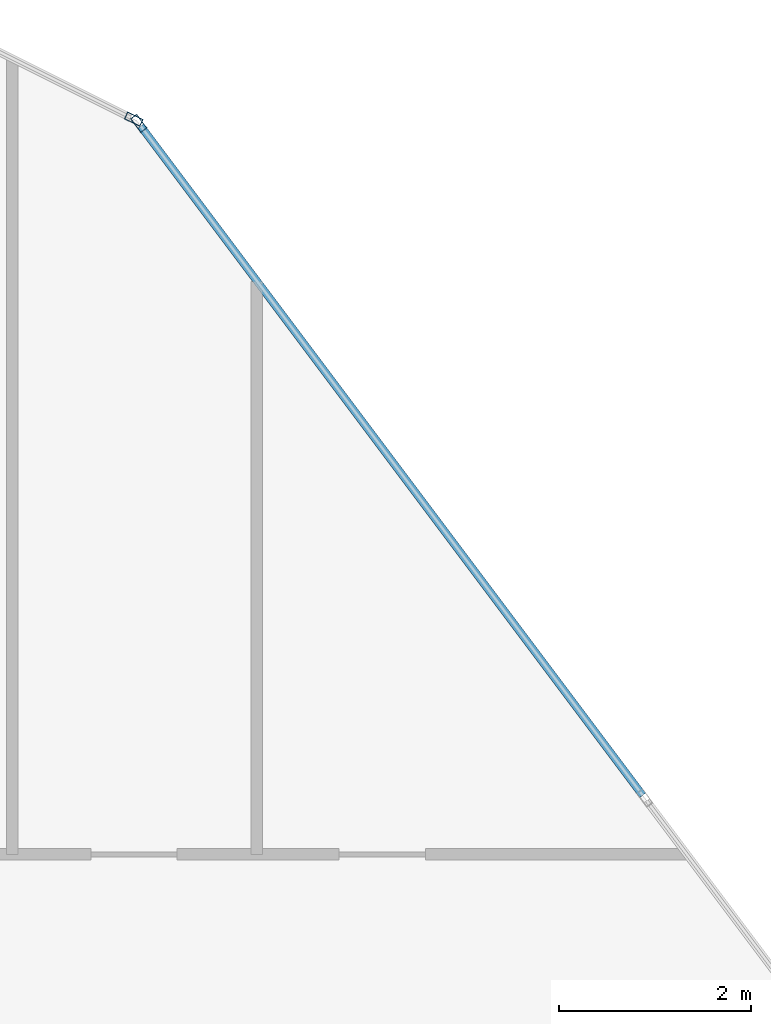
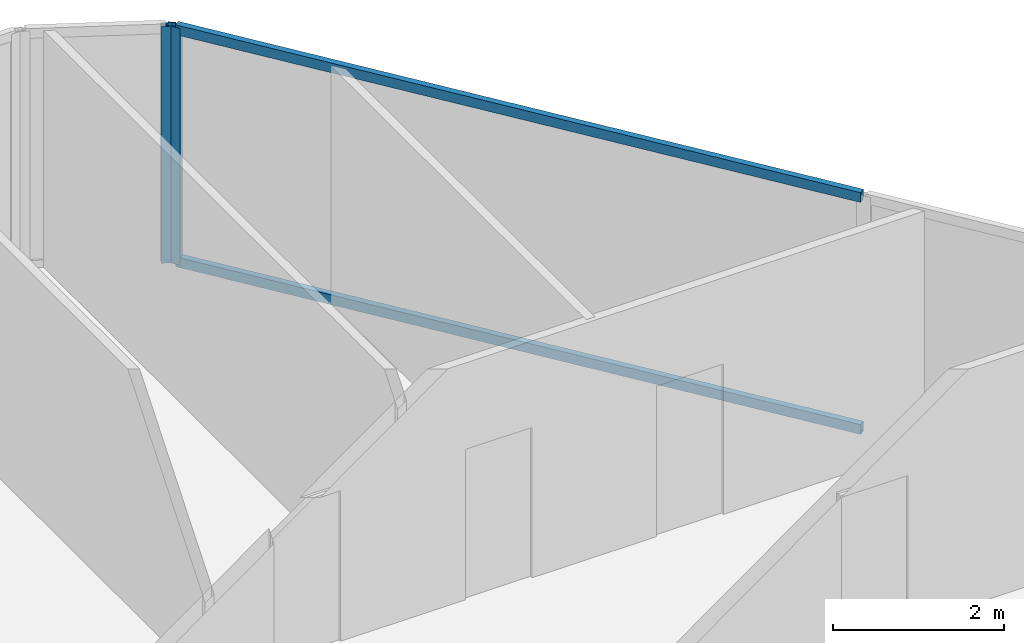
# One storey, part 22 of 32: 4 members, 2 elements without a shape of their own.
"""IFC4 building model written with IfcOpenShell, lengths in metres."""

from ifc_helpers import new_model, si_unit, direction, frame, origin, origin_2d, place, context, subcontext, project, spatial, hollow_rectangle, extrude, material, layer, layer_set, material_profile, profile_set, type_object, element, aggregate, save


model = new_model("IFC4")

# Units and contexts
model_context = context("Model", 3, precision=1e-05, world=origin(), true_north=direction((0.0, 1.0)))
body_context = subcontext(model_context, "Body", "Model", "MODEL_VIEW")
ifc_project = project(units=[si_unit("LENGTHUNIT", "METRE"), si_unit("AREAUNIT", "SQUARE_METRE"), si_unit("VOLUMEUNIT", "CUBIC_METRE"), si_unit("PLANEANGLEUNIT", "RADIAN"), si_unit("MASSUNIT", "GRAM", prefix="KILO")], contexts=[model_context])

# Site, building, storey
site_placement = place(None, origin())
site = spatial("IfcSite", under=ifc_project, at=site_placement, CompositionType="ELEMENT")
building_placement = place(site_placement, origin())
building = spatial("IfcBuilding", under=site, at=building_placement, Name="Keshet Zoharim Tower", CompositionType="ELEMENT")
storey_placement = place(building_placement, frame((0.0, 0.0, 152.0)))
storey = spatial("IfcBuildingStorey", under=building, at=storey_placement, Name="L37", CompositionType="ELEMENT", Elevation=152.0)

# Curtain wall, member
ifc_material = material(Name="Aluminium 6063-T6", Category="aluminium")
ifc_layer = layer(ifc_material, 0.159912109375)
ifc_layer_set = layer_set([ifc_layer], Name="Aluminium 6063-T6")
curtain_wall_type = type_object("IfcCurtainWallType", Name="CW-SYS-03", PredefinedType="NOTDEFINED", material=ifc_layer_set)
curtain_wall_1_placement = place(storey_placement, origin())
curtain_wall_1 = element("IfcCurtainWall", 1, at=curtain_wall_1_placement, inside=storey, type_object=curtain_wall_type, Name="L37 Unitised Curtain Wall 14", PredefinedType="NOTDEFINED")
ifc_material_profile_1 = material_profile(ifc_material, hollow_rectangle(XDim=0.080078125, YDim=0.179931640625, WallThickness=0.00439453125, at=origin_2d()), Name="MUL-80x180")
ifc_profile_set_1 = profile_set([ifc_material_profile_1], Name="Aluminium 6063-T6")
member_type_1 = type_object("IfcMemberType", Name="CWM-M18", PredefinedType="MULLION", material=ifc_profile_set_1)
member_1_placement = place(storey_placement, frame((51.568603515625, 53.11572265625, 0.0), z_axis=(0.0, 0.0, 1.0), x_axis=(0.447213595499, 0.894427191001, 0.0)))
member_1 = element("IfcMember", 2, at=member_1_placement, type_object=member_type_1, Name="CW-03 mullion 2", PredefinedType="MULLION", context=body_context, shape_type="SweptSolid", body=[
    extrude(hollow_rectangle(XDim=0.080078125, YDim=0.179931640625, WallThickness=0.00439453125, at=origin_2d()), origin(), (0.0, 0.0, 1.0), 3.385009765625),
])
aggregate(curtain_wall_1, [member_1])

# Curtain wall, members
curtain_wall_2_placement = place(storey_placement, origin())
curtain_wall_2 = element("IfcCurtainWall", 3, at=curtain_wall_2_placement, inside=storey, type_object=curtain_wall_type, Name="L37 Unitised Curtain Wall 15", PredefinedType="NOTDEFINED")
member_2_placement = place(storey_placement, frame((51.62109375, 53.072021484375, 0.0), z_axis=(0.0, 0.0, 1.0), x_axis=(0.799999999998, 0.600000000002, 0.0)))
member_2 = element("IfcMember", 4, at=member_2_placement, type_object=member_type_1, Name="CW-03 mullion 1", PredefinedType="MULLION", context=body_context, shape_type="SweptSolid", body=[
    extrude(hollow_rectangle(XDim=0.080078125, YDim=0.179931640625, WallThickness=0.00439453125, at=origin_2d()), origin(), (0.0, 0.0, 1.0), 3.385009765625),
])
ifc_material_profile_2 = material_profile(ifc_material, hollow_rectangle(XDim=0.080078125, YDim=0.139892578125, WallThickness=0.00390625, at=origin_2d()), Name="TRN-80x140")
ifc_profile_set_2 = profile_set([ifc_material_profile_2], Name="Aluminium 6063-T6")
member_type_2 = type_object("IfcMemberType", Name="CWT-T14", PredefinedType="USERDEFINED", material=ifc_profile_set_2)
member_3_placement = place(storey_placement, frame((51.64208984375, 53.0439453125, 0.034912109375), z_axis=(0.599991043201, -0.800006717521, 0.0), x_axis=(0.800006717521, 0.599991043201, 0.0)))
member_3 = element("IfcMember", 5, at=member_3_placement, type_object=member_type_2, Name="CW-03 transom 1.1", ObjectType="TRANSOM", PredefinedType="USERDEFINED", context=body_context, shape_type="SweptSolid", body=[
    extrude(hollow_rectangle(XDim=0.080078125, YDim=0.139892578125, WallThickness=0.00390625, at=origin_2d()), origin(), (0.0, 0.0, 1.0), 8.722412109375),
])
member_4_placement = place(storey_placement, frame((51.64208984375, 53.0439453125, 3.35009765625), z_axis=(0.599991043201, -0.800006717521, 0.0), x_axis=(0.800006717521, 0.599991043201, 0.0)))
member_4 = element("IfcMember", 6, at=member_4_placement, type_object=member_type_2, Name="CW-03 transom 1.2", ObjectType="TRANSOM", PredefinedType="USERDEFINED", context=body_context, shape_type="SweptSolid", body=[
    extrude(hollow_rectangle(XDim=0.080078125, YDim=0.139892578125, WallThickness=0.00390625, at=origin_2d()), origin(), (0.0, 0.0, 1.0), 8.722412109375),
])
aggregate(curtain_wall_2, [member_2, member_3, member_4])

save(model, "model.ifc")
